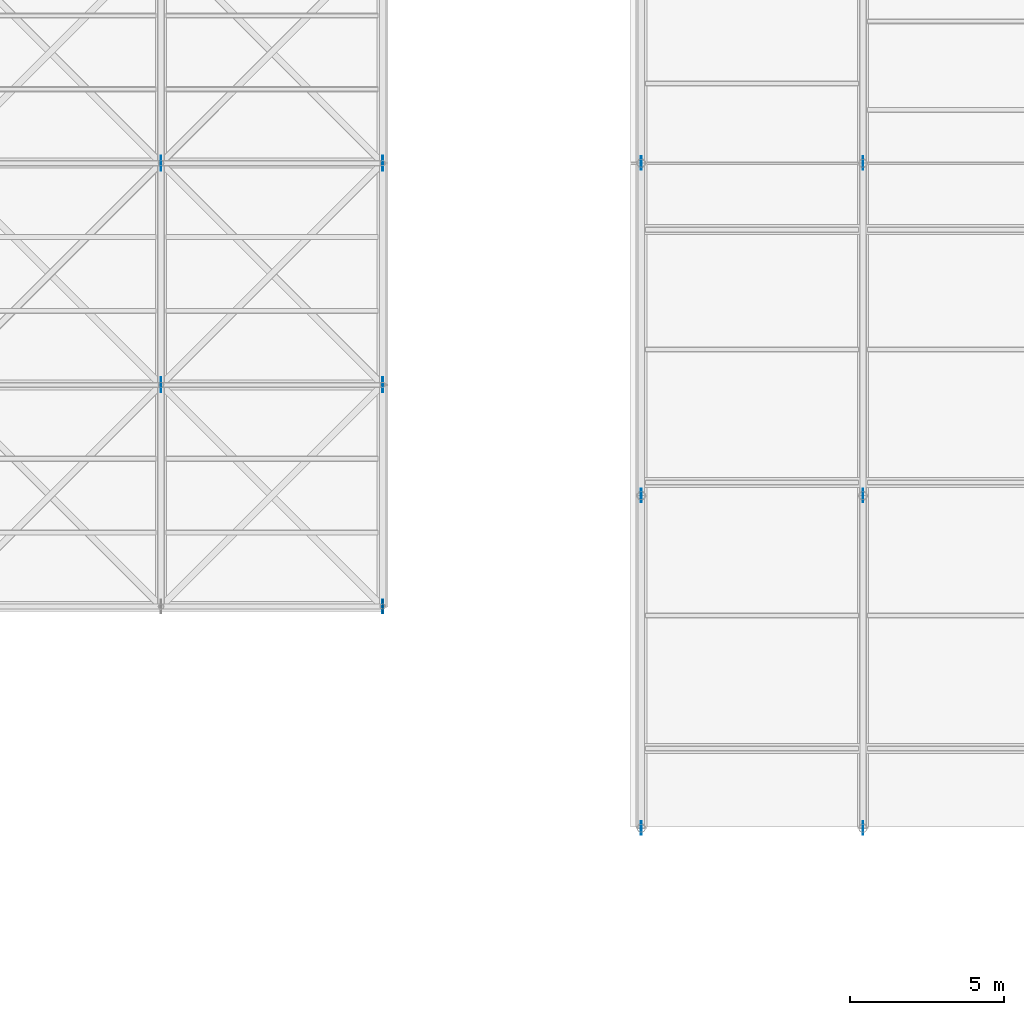
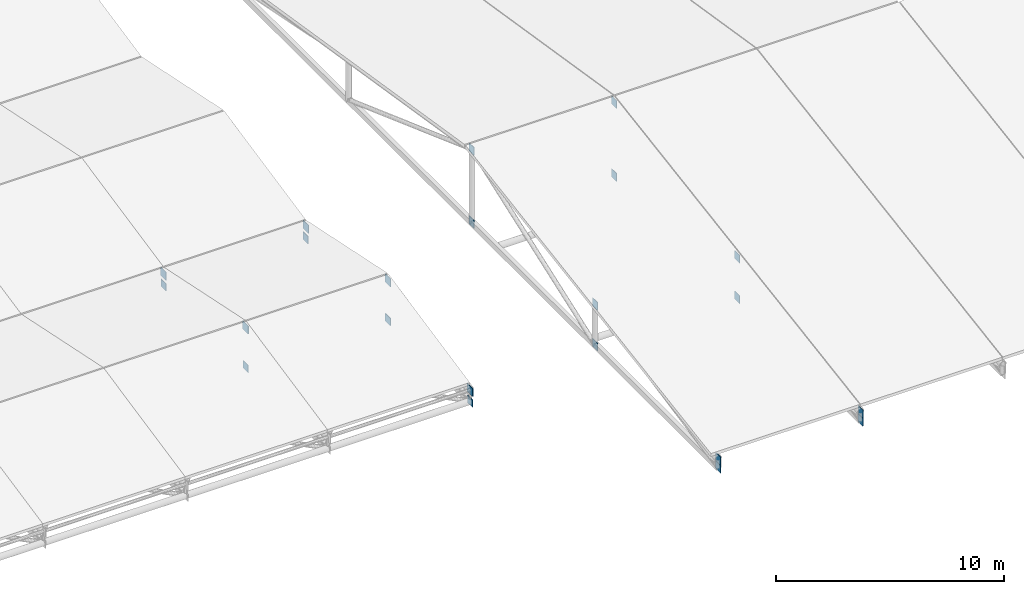
# One storey, part 69 of 72: 22 plates.
"""IFC4 building model written with IfcOpenShell, lengths in metres."""

from ifc_helpers import new_model, si_unit, direction, frame, origin, origin_2d, place, context, subcontext, project, spatial, rectangle, extrude, material, layer, layer_set, type_object, element, save


model = new_model("IFC4")

# Units and contexts
model_context = context("Model", 3, precision=1e-05, world=origin(), true_north=direction((0.0, 1.0)))
body_context = subcontext(model_context, "Body", "Model", "MODEL_VIEW")
ifc_project = project(units=[si_unit("LENGTHUNIT", "METRE"), si_unit("AREAUNIT", "SQUARE_METRE"), si_unit("VOLUMEUNIT", "CUBIC_METRE"), si_unit("PLANEANGLEUNIT", "RADIAN"), si_unit("MASSUNIT", "GRAM", prefix="KILO")], contexts=[model_context])

# Site, building, storey
site_placement = place(None, origin())
site = spatial("IfcSite", under=ifc_project, at=site_placement, CompositionType="ELEMENT")
building_placement = place(site_placement, origin())
building = spatial("IfcBuilding", under=site, at=building_placement, Name="Vaelcorin Mobility Hub", CompositionType="ELEMENT")
storey_placement = place(building_placement, frame((0.0, 0.0, 25.800048828125)))
storey = spatial("IfcBuildingStorey", under=building, at=storey_placement, Name="RF", CompositionType="ELEMENT", Elevation=25.800048828125)

# Plates
ifc_material = material(Name="Steel ASTM A572 Grade 50", Category="steel")
ifc_layer_1 = layer(ifc_material, 0.0380859375)
ifc_layer_set_1 = layer_set([ifc_layer_1], Name="Steel ASTM A572 Grade 50")
plate_type_1 = type_object("IfcPlateType", Name="PL-TN1", PredefinedType="USERDEFINED", material=ifc_layer_set_1)
plate_1_placement = place(storey_placement, frame((115.199951171875, 84.0, -1.719970703125), z_axis=(0.0, 0.0, 1.0), x_axis=(1.0, 0.0, 0.0)))
element("IfcPlate", 1, at=plate_1_placement, inside=storey, type_object=plate_type_1, Name="Sports Roof Truss Node TN1 11-0", ObjectType="GUSSET PLATE", PredefinedType="USERDEFINED", context=body_context, shape_type="SweptSolid", body=[
    extrude(rectangle(XDim=0.0380859375, YDim=0.47998046875, at=origin_2d()), origin(), (0.0, 0.0, 1.0), 0.43994140625),
])
ifc_layer_2 = layer(ifc_material, 0.030029296875)
ifc_layer_set_2 = layer_set([ifc_layer_2], Name="Steel ASTM A572 Grade 50")
plate_type_2 = type_object("IfcPlateType", Name="PL-TN2", PredefinedType="USERDEFINED", material=ifc_layer_set_2)
plate_2_placement = place(storey_placement, frame((108.0, 91.199951171875, -0.219970703125), z_axis=(0.0, 0.0, 1.0), x_axis=(1.0, 0.0, 0.0)))
element("IfcPlate", 2, at=plate_2_placement, inside=storey, type_object=plate_type_2, Name="Sports Roof Truss Node TN2 10-1", ObjectType="GUSSET PLATE", PredefinedType="USERDEFINED", context=body_context, shape_type="SweptSolid", body=[
    extrude(rectangle(XDim=0.030029296875, YDim=0.47998046875, at=origin_2d()), origin(), (0.0, 0.0, 1.0), 0.43994140625),
])
plate_3_placement = place(storey_placement, frame((108.0, 91.199951171875, -2.300048828125), z_axis=(0.0, 0.0, 1.0), x_axis=(1.0, 0.0, 0.0)))
element("IfcPlate", 3, at=plate_3_placement, inside=storey, type_object=plate_type_2, Name="Sports Roof Truss Bottom Node 10-1", ObjectType="GUSSET PLATE", PredefinedType="USERDEFINED", context=body_context, shape_type="SweptSolid", body=[
    extrude(rectangle(XDim=0.030029296875, YDim=0.43994140625, at=origin_2d()), origin(), (0.0, 0.0, 1.0), 0.39990234375),
])
plate_4_placement = place(storey_placement, frame((108.0, 98.39990234375, -1.719970703125), z_axis=(0.0, 0.0, 1.0), x_axis=(1.0, 0.0, 0.0)))
element("IfcPlate", 4, at=plate_4_placement, inside=storey, type_object=plate_type_2, Name="Sports Roof Truss Node TN2 10-2", ObjectType="GUSSET PLATE", PredefinedType="USERDEFINED", context=body_context, shape_type="SweptSolid", body=[
    extrude(rectangle(XDim=0.030029296875, YDim=0.47998046875, at=origin_2d()), origin(), (0.0, 0.0, 1.0), 0.43994140625),
])
for number, where, z_axis, x_axis, name in (
    (5, (108.0, 98.39990234375, -2.300048828125), (0.0, 0.0, 1.0), (1.0, 0.0, 0.0), "Sports Roof Truss Bottom Node 10-2"),
    (6, (115.199951171875, 84.0, -2.300048828125), (0.0, 0.0, 1.0), (1.0, 0.0, 0.0), "Sports Roof Truss Bottom Node 11-0"),
):
    element("IfcPlate", number, at=place(storey_placement, frame(where, z_axis=z_axis, x_axis=x_axis)), inside=storey, type_object=plate_type_2, Name=name, ObjectType="GUSSET PLATE", PredefinedType="USERDEFINED", context=body_context, shape_type="SweptSolid", body=[
        extrude(rectangle(XDim=0.030029296875, YDim=0.43994140625, at=origin_2d()), origin(), (0.0, 0.0, 1.0), 0.39990234375),
    ])
plate_5_placement = place(storey_placement, frame((115.199951171875, 91.199951171875, -0.219970703125), z_axis=(0.0, 0.0, 1.0), x_axis=(1.0, 0.0, 0.0)))
element("IfcPlate", 7, at=plate_5_placement, inside=storey, type_object=plate_type_2, Name="Sports Roof Truss Node TN2 11-1", ObjectType="GUSSET PLATE", PredefinedType="USERDEFINED", context=body_context, shape_type="SweptSolid", body=[
    extrude(rectangle(XDim=0.030029296875, YDim=0.47998046875, at=origin_2d()), origin(), (0.0, 0.0, 1.0), 0.43994140625),
])
plate_6_placement = place(storey_placement, frame((115.199951171875, 91.199951171875, -2.300048828125), z_axis=(0.0, 0.0, 1.0), x_axis=(1.0, 0.0, 0.0)))
element("IfcPlate", 8, at=plate_6_placement, inside=storey, type_object=plate_type_2, Name="Sports Roof Truss Bottom Node 11-1", ObjectType="GUSSET PLATE", PredefinedType="USERDEFINED", context=body_context, shape_type="SweptSolid", body=[
    extrude(rectangle(XDim=0.030029296875, YDim=0.43994140625, at=origin_2d()), origin(), (0.0, 0.0, 1.0), 0.39990234375),
])
plate_7_placement = place(storey_placement, frame((115.199951171875, 98.39990234375, -1.719970703125), z_axis=(0.0, 0.0, 1.0), x_axis=(1.0, 0.0, 0.0)))
element("IfcPlate", 9, at=plate_7_placement, inside=storey, type_object=plate_type_2, Name="Sports Roof Truss Node TN2 11-2", ObjectType="GUSSET PLATE", PredefinedType="USERDEFINED", context=body_context, shape_type="SweptSolid", body=[
    extrude(rectangle(XDim=0.030029296875, YDim=0.47998046875, at=origin_2d()), origin(), (0.0, 0.0, 1.0), 0.43994140625),
])
plate_8_placement = place(storey_placement, frame((115.199951171875, 98.39990234375, -2.300048828125), z_axis=(0.0, 0.0, 1.0), x_axis=(1.0, 0.0, 0.0)))
element("IfcPlate", 10, at=plate_8_placement, inside=storey, type_object=plate_type_2, Name="Sports Roof Truss Bottom Node 11-2", ObjectType="GUSSET PLATE", PredefinedType="USERDEFINED", context=body_context, shape_type="SweptSolid", body=[
    extrude(rectangle(XDim=0.030029296875, YDim=0.43994140625, at=origin_2d()), origin(), (0.0, 0.0, 1.0), 0.39990234375),
])
for number, where, z_axis, x_axis, name in (
    (11, (123.60009765625, 76.800048828125, -3.966064453125), (0.0, 0.0, 1.0), (1.0, 0.0, 0.0), "V2E Drum Truss Upper Node 1-0"),
    (12, (123.60009765625, 76.800048828125, -4.409912109375), (0.0, 0.0, 1.0), (1.0, 0.0, 0.0), "V2E Drum Truss Bottom Node 1-0"),
    (13, (123.60009765625, 87.60009765625, -2.238037109375), (0.0, 0.0, 1.0), (1.0, 0.0, 0.0), "V2E Drum Truss Upper Node 1-1"),
    (14, (123.60009765625, 87.60009765625, -4.409912109375), (0.0, 0.0, 1.0), (1.0, 0.0, 0.0), "V2E Drum Truss Bottom Node 1-1"),
    (15, (123.60009765625, 98.39990234375, -0.510009765625), (0.0, 0.0, 1.0), (1.0, 0.0, 0.0), "V2E Drum Truss Upper Node 1-2"),
    (16, (123.60009765625, 98.39990234375, -4.409912109375), (0.0, 0.0, 1.0), (1.0, 0.0, 0.0), "V2E Drum Truss Bottom Node 1-2"),
    (17, (130.800048828125, 76.800048828125, -3.966064453125), (0.0, 0.0, 1.0), (1.0, 0.0, 0.0), "V2E Drum Truss Upper Node 2-0"),
    (18, (130.800048828125, 76.800048828125, -4.409912109375), (0.0, 0.0, 1.0), (1.0, 0.0, 0.0), "V2E Drum Truss Bottom Node 2-0"),
    (19, (130.800048828125, 87.60009765625, -2.238037109375), (0.0, 0.0, 1.0), (1.0, 0.0, 0.0), "V2E Drum Truss Upper Node 2-1"),
    (20, (130.800048828125, 87.60009765625, -4.409912109375), (0.0, 0.0, 1.0), (1.0, 0.0, 0.0), "V2E Drum Truss Bottom Node 2-1"),
    (21, (130.800048828125, 98.39990234375, -0.510009765625), (0.0, 0.0, 1.0), (1.0, 0.0, 0.0), "V2E Drum Truss Upper Node 2-2"),
    (22, (130.800048828125, 98.39990234375, -4.409912109375), (0.0, 0.0, 1.0), (1.0, 0.0, 0.0), "V2E Drum Truss Bottom Node 2-2"),
):
    element("IfcPlate", number, at=place(storey_placement, frame(where, z_axis=z_axis, x_axis=x_axis)), inside=storey, type_object=plate_type_2, Name=name, ObjectType="GUSSET PLATE", PredefinedType="USERDEFINED", context=body_context, shape_type="SweptSolid", body=[
        extrude(rectangle(XDim=0.030029296875, YDim=0.43994140625, at=origin_2d()), origin(), (0.0, 0.0, 1.0), 0.419921875),
    ])

save(model, "model.ifc")
